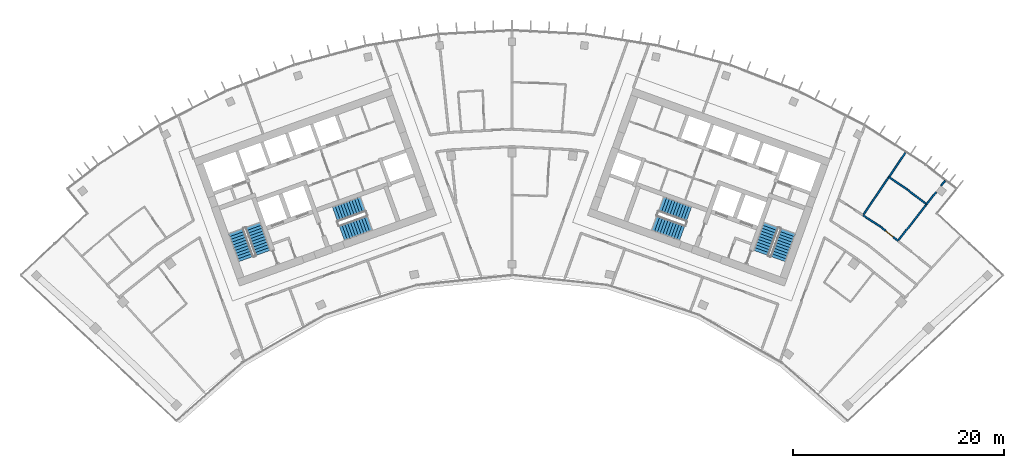
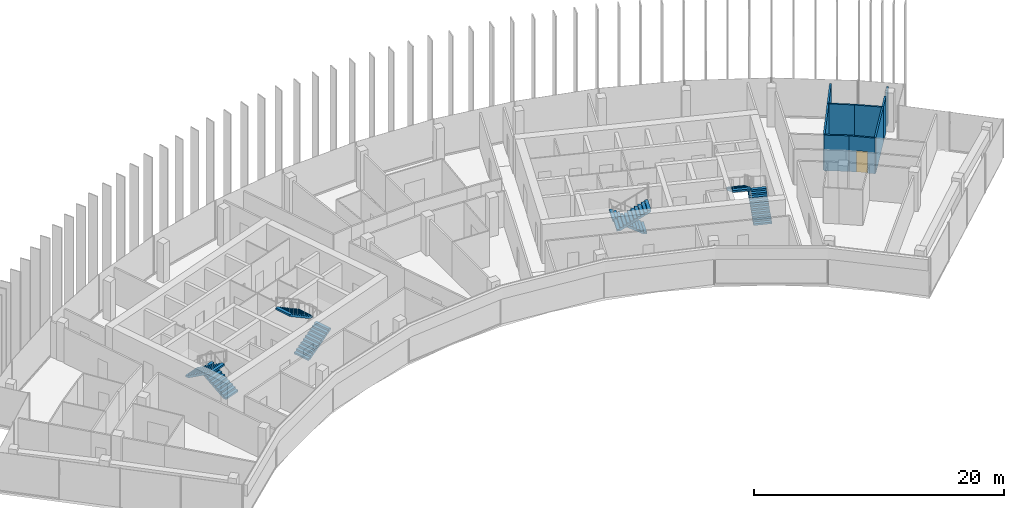
# One storey, part 18 of 19: 9 walls, 8 stair flights, 1 door, 1 opening, 4 elements without a shape of their own.
"""IFC4 building model written with IfcOpenShell, lengths in metres."""

from ifc_helpers import new_model, si_unit, direction, frame, frame_2d, origin, place, context, subcontext, project, spatial, polyline, rectangle, outline, extrude, material, layer, layer_set, type_object, element, fill, aggregate, save


model = new_model("IFC4")

# Units and contexts
model_context = context("Model", 3, precision=1e-05, world=origin(), true_north=direction((0.0, 1.0)))
body_context = subcontext(model_context, "Body", "Model", "MODEL_VIEW")
ifc_project = project(units=[si_unit("LENGTHUNIT", "METRE"), si_unit("AREAUNIT", "SQUARE_METRE"), si_unit("VOLUMEUNIT", "CUBIC_METRE"), si_unit("PLANEANGLEUNIT", "RADIAN"), si_unit("MASSUNIT", "GRAM", prefix="KILO")], contexts=[model_context])

# Site, building, storey
site_placement = place(None, origin())
site = spatial("IfcSite", under=ifc_project, at=site_placement, CompositionType="ELEMENT")
building_placement = place(site_placement, origin())
building = spatial("IfcBuilding", under=site, at=building_placement, Name="Stone Belt Terrace Tower", CompositionType="ELEMENT")
storey_placement = place(building_placement, frame((0.0, 0.0, 292.199951171875)))
storey = spatial("IfcBuildingStorey", under=building, at=storey_placement, Name="L71", CompositionType="ELEMENT", Elevation=292.199951171875)

# Wall
ifc_material_1 = material(Name="Gypsum board partition")
ifc_layer = layer(ifc_material_1, 0.14990234375)
ifc_layer_set = layer_set([ifc_layer], Name="PARTITION 150 EI 60")
wall_type = type_object("IfcWallType", Name="PARTITION 150 EI 60", PredefinedType="PARTITIONING", material=ifc_layer_set)
wall_1_placement = place(storey_placement, frame((33.196044921875, 49.077880859375, 0.0), z_axis=(0.0, 0.0, 1.0), x_axis=(0.838767892149, -0.544489139562, 0.0)))
element("IfcWall", 1, at=wall_1_placement, inside=storey, type_object=wall_type, Name="L71/wall/i069", PredefinedType="PARTITIONING", context=body_context, shape_type="SweptSolid", body=[
    extrude(rectangle(XDim=1.994384765625, YDim=0.14990234375, at=frame_2d((0.9970703125, 0.0))), origin(), (0.0, 0.0, 1.0), 3.47998046875),
])

# Wall, opening, door
wall_2_placement = place(storey_placement, frame((34.868896484375, 47.991943359375, 0.0), z_axis=(0.0, 0.0, 1.0), x_axis=(0.777164283985, -0.629297763939, 0.0)))
wall_2 = element("IfcWall", 2, at=wall_2_placement, inside=storey, type_object=wall_type, Name="L71/wall/i070", PredefinedType="PARTITIONING", context=body_context, shape_type="SweptSolid", body=[
    extrude(rectangle(XDim=2.11669921875, YDim=0.14990234375, at=frame_2d((1.058349609375, 0.0))), origin(), (0.0, 0.0, 1.0), 3.47998046875),
])
opening_placement = place(wall_2_placement, frame((0.6083984375, 0.0, 0.0)))
opening = element("IfcOpeningElement", 3, at=opening_placement, cuts=wall_2, Name="Opening D-E4-22", PredefinedType="OPENING", context=body_context, shape_type="SweptSolid", body=[
    extrude(rectangle(XDim=0.89990234375, YDim=2.10009765625, at=frame_2d((0.449951171875, 1.050048828125))), frame((0.0, 0.0849609375, 0.0), z_axis=(0.0, -1.0, 0.0), x_axis=(1.0, 0.0, 0.0)), (0.0, 0.0, 1.0), 0.169921875),
])
ifc_material_2 = material(Name="Timber door leaf", Category="wood")
door_type = type_object("IfcDoorType", Name="OFFICE DOOR 900 X 2100", OperationType="NOTDEFINED", PredefinedType="DOOR", material=ifc_material_2)
door_placement = place(opening_placement, origin())
door = element("IfcDoor", 4, at=door_placement, inside=storey, type_object=door_type, Name="L71/door/i22", OperationType="SINGLE_SWING_RIGHT", OverallHeight=2.10009765625, OverallWidth=0.89990234375, PredefinedType="DOOR", context=body_context, shape_type="SweptSolid", body=[
    extrude(rectangle(XDim=0.89990234375, YDim=2.10009765625, at=frame_2d((0.449951171875, 1.050048828125))), frame((0.0, 0.02490234375, 0.0), z_axis=(0.0, -1.0, 0.0), x_axis=(1.0, 0.0, 0.0)), (0.0, 0.0, 1.0), 0.050048828125),
])
fill(opening, door)

# Walls
wall_3_placement = place(storey_placement, frame((35.657958984375, 52.7080078125, 0.0), z_axis=(0.0, 0.0, 1.0), x_axis=(-0.560211644635, -0.828349511508, 0.0)))
element("IfcWall", 5, at=wall_3_placement, inside=storey, type_object=wall_type, Name="L71/wall/i072", PredefinedType="PARTITIONING", context=body_context, shape_type="SweptSolid", body=[
    extrude(rectangle(XDim=4.385986328125, YDim=0.14990234375, at=frame_2d((2.19287109375, 0.0))), origin(), (0.0, 0.0, 1.0), 3.47998046875),
])
wall_4_placement = place(storey_placement, frame((37.218017578125, 55.013916015625, 0.0), z_axis=(0.0, 0.0, 1.0), x_axis=(-0.560129616984, -0.828404980778, 0.0)))
element("IfcWall", 6, at=wall_4_placement, inside=storey, type_object=wall_type, Name="L71/wall/i073", PredefinedType="PARTITIONING", context=body_context, shape_type="SweptSolid", body=[
    extrude(rectangle(XDim=2.795654296875, YDim=0.14990234375, at=frame_2d((1.39794921875, 0.0))), origin(), (0.0, 0.0, 1.0), 3.47998046875),
])
wall_5_placement = place(storey_placement, frame((35.655029296875, 52.702880859375, 0.0), z_axis=(0.0, 0.0, 1.0), x_axis=(0.82382476959, -0.566844554538, 0.0)))
element("IfcWall", 7, at=wall_5_placement, inside=storey, type_object=wall_type, Name="L71/wall/i074", PredefinedType="PARTITIONING", context=body_context, shape_type="SweptSolid", body=[
    extrude(rectangle(XDim=2.1328125, YDim=0.14990234375, at=frame_2d((1.06640625, 0.0))), origin(), (0.0, 0.0, 1.0), 3.47998046875),
])
wall_6_placement = place(storey_placement, frame((37.412109375, 51.493896484375, 0.0), z_axis=(0.0, 0.0, 1.0), x_axis=(0.793120467895, -0.609064794095, 0.0)))
element("IfcWall", 8, at=wall_6_placement, inside=storey, type_object=wall_type, Name="L71/wall/i075", PredefinedType="PARTITIONING", context=body_context, shape_type="SweptSolid", body=[
    extrude(rectangle(XDim=2.265625, YDim=0.14990234375, at=frame_2d((1.1328125, 0.0))), origin(), (0.0, 0.0, 1.0), 3.47998046875),
])
wall_7_placement = place(storey_placement, frame((39.208984375, 50.114013671875, 0.0), z_axis=(0.0, 0.0, 1.0), x_axis=(-0.616168485645, -0.787614370932, 0.0)))
element("IfcWall", 9, at=wall_7_placement, inside=storey, type_object=wall_type, Name="L71/wall/i076", PredefinedType="PARTITIONING", context=body_context, shape_type="SweptSolid", body=[
    extrude(rectangle(XDim=4.38037109375, YDim=0.14990234375, at=frame_2d((2.190185546875, 0.0))), origin(), (0.0, 0.0, 1.0), 3.47998046875),
])
wall_8_placement = place(storey_placement, frame((40.963623046875, 52.356689453125, 0.0), z_axis=(0.0, 0.0, 1.0), x_axis=(-0.616134966401, -0.787640592642, 0.0)))
element("IfcWall", 10, at=wall_8_placement, inside=storey, type_object=wall_type, Name="L71/wall/i077", PredefinedType="PARTITIONING", context=body_context, shape_type="SweptSolid", body=[
    extrude(rectangle(XDim=0.60791015625, YDim=0.14990234375, at=frame_2d((0.303955078125, 0.0))), origin(), (0.0, 0.0, 1.0), 3.47998046875),
])
wall_9_placement = place(storey_placement, frame((40.120849609375, 51.279541015625, 0.0), z_axis=(0.0, 0.0, 1.0), x_axis=(-0.616188148324, -0.787598987979, 0.0)))
element("IfcWall", 11, at=wall_9_placement, inside=storey, type_object=wall_type, Name="L71/wall/i078", PredefinedType="PARTITIONING", context=body_context, shape_type="SweptSolid", body=[
    extrude(rectangle(XDim=1.479736328125, YDim=0.14990234375, at=frame_2d((0.73974609375, 0.0))), origin(), (0.0, 0.0, 1.0), 3.47998046875),
])

# Stair, stair flights
ifc_material_3 = material(Name="Concrete B40", Category="concrete")
stair_type = type_object("IfcStairType", Name="Exit stair 1500", PredefinedType="HALF_TURN_STAIR", material=ifc_material_3)
stair_1_placement = place(storey_placement, origin())
stair_1 = element("IfcStair", 12, at=stair_1_placement, inside=storey, type_object=stair_type, Name="L71 Exit stair 1 core A", PredefinedType="HALF_TURN_STAIR")
stair_flight_type = type_object("IfcStairFlightType", Name="Stair flight 1500", PredefinedType="STRAIGHT", material=ifc_material_3)
stair_flight_1_placement = place(storey_placement, frame((-23.55322265625, 45.51318359375, 0.0), z_axis=(0.0, 0.0, 1.0), x_axis=(-0.338624396177, 0.940921632398, 0.0)))
stair_flight_1 = element("IfcStairFlight", 13, at=stair_flight_1_placement, type_object=stair_flight_type, Name="ST1A flight 1", NumberOfRisers=11, NumberOfTreads=10, PredefinedType="STRAIGHT", RiserHeight=0.172727273, TreadLength=0.28, context=body_context, shape_type="SweptSolid", body=[
    extrude(outline(polyline([(0.0, 0.0), (0.0, 0.172607421875), (0.280029296875, 0.172607421875), (0.280029296875, 0.345458984375), (0.56005859375, 0.345458984375), (0.56005859375, 0.51806640625), (0.840087890625, 0.51806640625), (0.840087890625, 0.69091796875), (1.1201171875, 0.69091796875), (1.1201171875, 0.863525390625), (1.39990234375, 0.863525390625), (1.39990234375, 1.036376953125), (1.679931640625, 1.036376953125), (1.679931640625, 1.208984375), (1.9599609375, 1.208984375), (1.9599609375, 1.3818359375), (2.239990234375, 1.3818359375), (2.239990234375, 1.554443359375), (2.52001953125, 1.554443359375), (2.52001953125, 1.727294921875), (2.800048828125, 1.727294921875), (2.800048828125, 1.89990234375), (2.800048828125, 1.551025390625), (0.285400390625, 0.0), (0.0, 0.0)])), frame((0.0, 0.75, 0.0), z_axis=(0.0, -1.0, 0.0), x_axis=(1.0, 0.0, 0.0)), (0.0, 0.0, 1.0), 1.5),
])
stair_flight_2_placement = place(storey_placement, frame((-26.10107421875, 47.572021484375, 1.900146484375), z_axis=(0.0, 0.0, 1.0), x_axis=(0.338624396177, -0.940921632398, 0.0)))
stair_flight_2 = element("IfcStairFlight", 14, at=stair_flight_2_placement, type_object=stair_flight_type, Name="ST1A flight 2", NumberOfRisers=11, NumberOfTreads=10, PredefinedType="STRAIGHT", RiserHeight=0.172727273, TreadLength=0.28, context=body_context, shape_type="SweptSolid", body=[
    extrude(outline(polyline([(0.0, 0.0), (0.0, 0.172607421875), (0.280029296875, 0.172607421875), (0.280029296875, 0.345458984375), (0.56005859375, 0.345458984375), (0.56005859375, 0.51806640625), (0.840087890625, 0.51806640625), (0.840087890625, 0.69091796875), (1.1201171875, 0.69091796875), (1.1201171875, 0.863525390625), (1.39990234375, 0.863525390625), (1.39990234375, 1.036376953125), (1.679931640625, 1.036376953125), (1.679931640625, 1.208984375), (1.9599609375, 1.208984375), (1.9599609375, 1.3818359375), (2.239990234375, 1.3818359375), (2.239990234375, 1.554443359375), (2.52001953125, 1.554443359375), (2.52001953125, 1.727294921875), (2.800048828125, 1.727294921875), (2.800048828125, 1.89990234375), (2.800048828125, 1.551025390625), (0.285400390625, 0.0), (0.0, 0.0)])), frame((0.0, 0.75, 0.0), z_axis=(0.0, -1.0, 0.0), x_axis=(1.0, 0.0, 0.0)), (0.0, 0.0, 1.0), 1.5),
])
aggregate(stair_1, [stair_flight_1, stair_flight_2])

stair_2_placement = place(storey_placement, origin())
stair_2 = element("IfcStair", 15, at=stair_2_placement, inside=storey, type_object=stair_type, Name="L71 Exit stair 2 core A", PredefinedType="HALF_TURN_STAIR")
stair_flight_3_placement = place(storey_placement, frame((-16.101318359375, 47.39794921875, 0.0), z_axis=(0.0, 0.0, 1.0), x_axis=(0.940921632398, 0.338624396177, 0.0)))
stair_flight_3 = element("IfcStairFlight", 16, at=stair_flight_3_placement, type_object=stair_flight_type, Name="ST2A flight 1", NumberOfRisers=11, NumberOfTreads=10, PredefinedType="STRAIGHT", RiserHeight=0.172727273, TreadLength=0.28, context=body_context, shape_type="SweptSolid", body=[
    extrude(outline(polyline([(0.0, 0.0), (0.0, 0.172607421875), (0.280029296875, 0.172607421875), (0.280029296875, 0.345458984375), (0.56005859375, 0.345458984375), (0.56005859375, 0.51806640625), (0.840087890625, 0.51806640625), (0.840087890625, 0.69091796875), (1.1201171875, 0.69091796875), (1.1201171875, 0.863525390625), (1.39990234375, 0.863525390625), (1.39990234375, 1.036376953125), (1.679931640625, 1.036376953125), (1.679931640625, 1.208984375), (1.9599609375, 1.208984375), (1.9599609375, 1.3818359375), (2.239990234375, 1.3818359375), (2.239990234375, 1.554443359375), (2.52001953125, 1.554443359375), (2.52001953125, 1.727294921875), (2.800048828125, 1.727294921875), (2.800048828125, 1.89990234375), (2.800048828125, 1.551025390625), (0.285400390625, 0.0), (0.0, 0.0)])), frame((0.0, 0.75, 0.0), z_axis=(0.0, -1.0, 0.0), x_axis=(1.0, 0.0, 0.0)), (0.0, 0.0, 1.0), 1.5),
])
stair_flight_4_placement = place(storey_placement, frame((-14.110107421875, 50.1337890625, 1.900146484375), z_axis=(0.0, 0.0, 1.0), x_axis=(-0.940921632398, -0.338624396177, 0.0)))
stair_flight_4 = element("IfcStairFlight", 17, at=stair_flight_4_placement, type_object=stair_flight_type, Name="ST2A flight 2", NumberOfRisers=11, NumberOfTreads=10, PredefinedType="STRAIGHT", RiserHeight=0.172727273, TreadLength=0.28, context=body_context, shape_type="SweptSolid", body=[
    extrude(outline(polyline([(0.0, 0.0), (0.0, 0.172607421875), (0.280029296875, 0.172607421875), (0.280029296875, 0.345458984375), (0.56005859375, 0.345458984375), (0.56005859375, 0.51806640625), (0.840087890625, 0.51806640625), (0.840087890625, 0.69091796875), (1.1201171875, 0.69091796875), (1.1201171875, 0.863525390625), (1.39990234375, 0.863525390625), (1.39990234375, 1.036376953125), (1.679931640625, 1.036376953125), (1.679931640625, 1.208984375), (1.9599609375, 1.208984375), (1.9599609375, 1.3818359375), (2.239990234375, 1.3818359375), (2.239990234375, 1.554443359375), (2.52001953125, 1.554443359375), (2.52001953125, 1.727294921875), (2.800048828125, 1.727294921875), (2.800048828125, 1.89990234375), (2.800048828125, 1.551025390625), (0.285400390625, 0.0), (0.0, 0.0)])), frame((0.0, 0.75, 0.0), z_axis=(0.0, -1.0, 0.0), x_axis=(1.0, 0.0, 0.0)), (0.0, 0.0, 1.0), 1.5),
])
aggregate(stair_2, [stair_flight_3, stair_flight_4])

stair_3_placement = place(storey_placement, origin())
stair_3 = element("IfcStair", 18, at=stair_3_placement, inside=storey, type_object=stair_type, Name="L71 Exit stair 1 core B", PredefinedType="HALF_TURN_STAIR")
stair_flight_5_placement = place(storey_placement, frame((25.15283203125, 44.9375, 0.0), z_axis=(0.0, 0.0, 1.0), x_axis=(0.338624396177, 0.940921632398, 0.0)))
stair_flight_5 = element("IfcStairFlight", 19, at=stair_flight_5_placement, type_object=stair_flight_type, Name="ST1B flight 1", NumberOfRisers=11, NumberOfTreads=10, PredefinedType="STRAIGHT", RiserHeight=0.172727273, TreadLength=0.28, context=body_context, shape_type="SweptSolid", body=[
    extrude(outline(polyline([(0.0, 0.0), (0.0, 0.172607421875), (0.280029296875, 0.172607421875), (0.280029296875, 0.345458984375), (0.56005859375, 0.345458984375), (0.56005859375, 0.51806640625), (0.840087890625, 0.51806640625), (0.840087890625, 0.69091796875), (1.1201171875, 0.69091796875), (1.1201171875, 0.863525390625), (1.39990234375, 0.863525390625), (1.39990234375, 1.036376953125), (1.679931640625, 1.036376953125), (1.679931640625, 1.208984375), (1.9599609375, 1.208984375), (1.9599609375, 1.3818359375), (2.239990234375, 1.3818359375), (2.239990234375, 1.554443359375), (2.52001953125, 1.554443359375), (2.52001953125, 1.727294921875), (2.800048828125, 1.727294921875), (2.800048828125, 1.89990234375), (2.800048828125, 1.551025390625), (0.285400390625, 0.0), (0.0, 0.0)])), frame((0.0, 0.75, 0.0), z_axis=(0.0, -1.0, 0.0), x_axis=(1.0, 0.0, 0.0)), (0.0, 0.0, 1.0), 1.5),
])
stair_flight_6_placement = place(storey_placement, frame((24.50146484375, 48.147705078125, 1.900146484375), z_axis=(0.0, 0.0, 1.0), x_axis=(-0.338624396177, -0.940921632398, 0.0)))
stair_flight_6 = element("IfcStairFlight", 20, at=stair_flight_6_placement, type_object=stair_flight_type, Name="ST1B flight 2", NumberOfRisers=11, NumberOfTreads=10, PredefinedType="STRAIGHT", RiserHeight=0.172727273, TreadLength=0.28, context=body_context, shape_type="SweptSolid", body=[
    extrude(outline(polyline([(0.0, 0.0), (0.0, 0.172607421875), (0.280029296875, 0.172607421875), (0.280029296875, 0.345458984375), (0.56005859375, 0.345458984375), (0.56005859375, 0.51806640625), (0.840087890625, 0.51806640625), (0.840087890625, 0.69091796875), (1.1201171875, 0.69091796875), (1.1201171875, 0.863525390625), (1.39990234375, 0.863525390625), (1.39990234375, 1.036376953125), (1.679931640625, 1.036376953125), (1.679931640625, 1.208984375), (1.9599609375, 1.208984375), (1.9599609375, 1.3818359375), (2.239990234375, 1.3818359375), (2.239990234375, 1.554443359375), (2.52001953125, 1.554443359375), (2.52001953125, 1.727294921875), (2.800048828125, 1.727294921875), (2.800048828125, 1.89990234375), (2.800048828125, 1.551025390625), (0.285400390625, 0.0), (0.0, 0.0)])), frame((0.0, 0.75, 0.0), z_axis=(0.0, -1.0, 0.0), x_axis=(1.0, 0.0, 0.0)), (0.0, 0.0, 1.0), 1.5),
])
aggregate(stair_3, [stair_flight_5, stair_flight_6])

stair_4_placement = place(storey_placement, origin())
stair_4 = element("IfcStair", 21, at=stair_4_placement, inside=storey, type_object=stair_type, Name="L71 Exit stair 2 core B", PredefinedType="HALF_TURN_STAIR")
stair_flight_7_placement = place(storey_placement, frame((16.74462890625, 49.185546875, 0.0), z_axis=(0.0, 0.0, 1.0), x_axis=(-0.940921632398, 0.338624396177, 0.0)))
stair_flight_7 = element("IfcStairFlight", 22, at=stair_flight_7_placement, type_object=stair_flight_type, Name="ST2B flight 1", NumberOfRisers=11, NumberOfTreads=10, PredefinedType="STRAIGHT", RiserHeight=0.172727273, TreadLength=0.28, context=body_context, shape_type="SweptSolid", body=[
    extrude(outline(polyline([(0.0, 0.0), (0.0, 0.172607421875), (0.280029296875, 0.172607421875), (0.280029296875, 0.345458984375), (0.56005859375, 0.345458984375), (0.56005859375, 0.51806640625), (0.840087890625, 0.51806640625), (0.840087890625, 0.69091796875), (1.1201171875, 0.69091796875), (1.1201171875, 0.863525390625), (1.39990234375, 0.863525390625), (1.39990234375, 1.036376953125), (1.679931640625, 1.036376953125), (1.679931640625, 1.208984375), (1.9599609375, 1.208984375), (1.9599609375, 1.3818359375), (2.239990234375, 1.3818359375), (2.239990234375, 1.554443359375), (2.52001953125, 1.554443359375), (2.52001953125, 1.727294921875), (2.800048828125, 1.727294921875), (2.800048828125, 1.89990234375), (2.800048828125, 1.551025390625), (0.285400390625, 0.0), (0.0, 0.0)])), frame((0.0, 0.75, 0.0), z_axis=(0.0, -1.0, 0.0), x_axis=(1.0, 0.0, 0.0)), (0.0, 0.0, 1.0), 1.5),
])
stair_flight_8_placement = place(storey_placement, frame((13.466796875, 48.345947265625, 1.900146484375), z_axis=(0.0, 0.0, 1.0), x_axis=(0.940921632398, -0.338624396177, 0.0)))
stair_flight_8 = element("IfcStairFlight", 23, at=stair_flight_8_placement, type_object=stair_flight_type, Name="ST2B flight 2", NumberOfRisers=11, NumberOfTreads=10, PredefinedType="STRAIGHT", RiserHeight=0.172727273, TreadLength=0.28, context=body_context, shape_type="SweptSolid", body=[
    extrude(outline(polyline([(0.0, 0.0), (0.0, 0.172607421875), (0.280029296875, 0.172607421875), (0.280029296875, 0.345458984375), (0.56005859375, 0.345458984375), (0.56005859375, 0.51806640625), (0.840087890625, 0.51806640625), (0.840087890625, 0.69091796875), (1.1201171875, 0.69091796875), (1.1201171875, 0.863525390625), (1.39990234375, 0.863525390625), (1.39990234375, 1.036376953125), (1.679931640625, 1.036376953125), (1.679931640625, 1.208984375), (1.9599609375, 1.208984375), (1.9599609375, 1.3818359375), (2.239990234375, 1.3818359375), (2.239990234375, 1.554443359375), (2.52001953125, 1.554443359375), (2.52001953125, 1.727294921875), (2.800048828125, 1.727294921875), (2.800048828125, 1.89990234375), (2.800048828125, 1.551025390625), (0.285400390625, 0.0), (0.0, 0.0)])), frame((0.0, 0.75, 0.0), z_axis=(0.0, -1.0, 0.0), x_axis=(1.0, 0.0, 0.0)), (0.0, 0.0, 1.0), 1.5),
])
aggregate(stair_4, [stair_flight_7, stair_flight_8])

save(model, "model.ifc")
